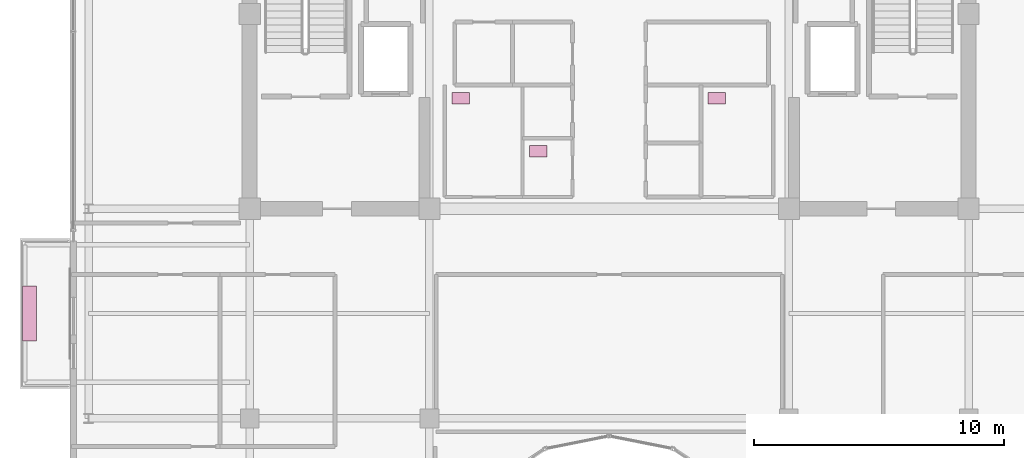
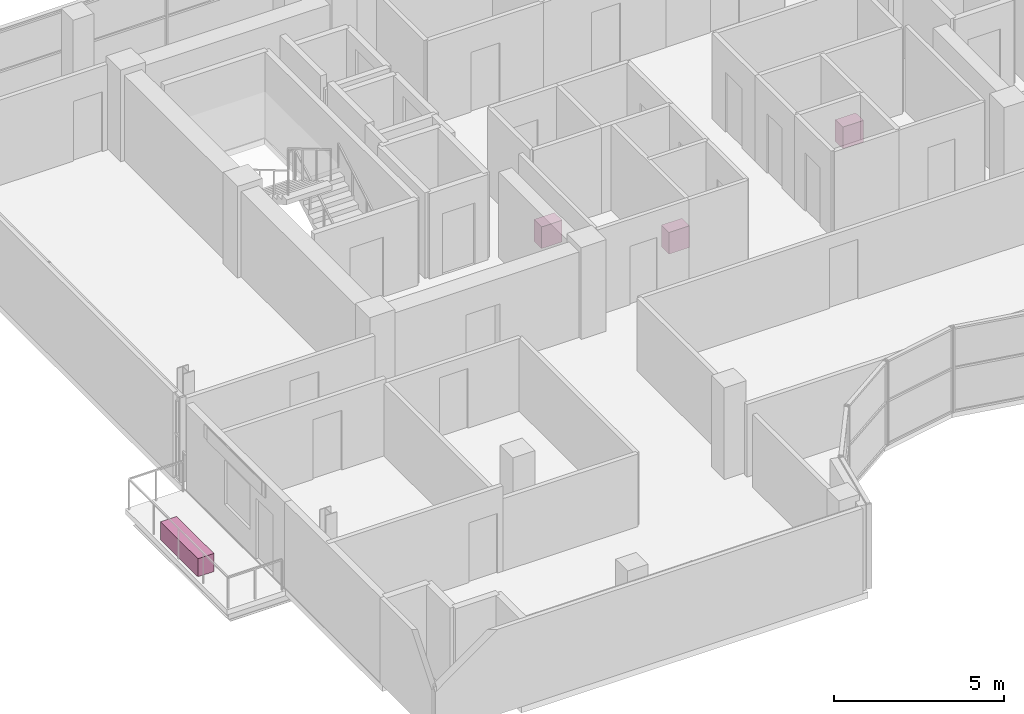
# One storey, part 28 of 28: 4 furnishings.
"""IFC4 building model written with IfcOpenShell, lengths in metres."""

from ifc_helpers import new_model, si_unit, direction, frame, origin, origin_2d, place, context, subcontext, project, spatial, rectangle, extrude, source, transform, mapped, material, type_object, element, save


model = new_model("IFC4")

# Units and contexts
model_context = context("Model", 3, precision=1e-05, world=origin(), true_north=direction((0.0, 1.0)))
body_context = subcontext(model_context, "Body", "Model", "MODEL_VIEW")
ifc_project = project(units=[si_unit("LENGTHUNIT", "METRE"), si_unit("AREAUNIT", "SQUARE_METRE"), si_unit("VOLUMEUNIT", "CUBIC_METRE"), si_unit("PLANEANGLEUNIT", "RADIAN"), si_unit("MASSUNIT", "GRAM", prefix="KILO")], contexts=[model_context])

# Site, building, storey
site_placement = place(None, origin())
site = spatial("IfcSite", under=ifc_project, at=site_placement, CompositionType="ELEMENT")
building_placement = place(site_placement, origin())
building = spatial("IfcBuilding", under=site, at=building_placement, Name="Zarnakvel Exchange Tower", CompositionType="ELEMENT")
storey_placement = place(building_placement, frame((0.0, 0.0, 261.699951171875)))
storey = spatial("IfcBuildingStorey", under=building, at=storey_placement, Name="L74", CompositionType="ELEMENT", Elevation=261.699951171875)

# Furnishings
ifc_material_1 = material(Name="Architectural Bronze Anodised Aluminium", Category="aluminium")
furnishing_element_type_1 = type_object("IfcFurnishingElementType", Name="PLNT-01", material=ifc_material_1)
shared_shape_1 = source(origin(), body_context, "Body", "SweptSolid", [
    extrude(rectangle(XDim=2.199951171875, YDim=0.550048828125, at=origin_2d()), origin(), (0.0, 0.0, 1.0), 0.64990234375),
])
furnishing_placement = place(storey_placement, frame((-23.219970703125, -5.39990234375, -0.034912109375), z_axis=(0.0, 0.0, 1.0), x_axis=(0.0, 1.0, 0.0)))
element("IfcFurnishingElement", 1, at=furnishing_placement, inside=storey, type_object=furnishing_element_type_1, Name="L74 Balcony Greenery Planter BAL-L74-W", ObjectType="PLANTER", context=body_context, shape_type="MappedRepresentation", body=[
    mapped(shared_shape_1, transform((0.0, 0.0, 0.0), x_axis=(1.0, 0.0, 0.0), y_axis=(0.0, 1.0, 0.0), z_axis=(0.0, 0.0, 1.0), scale=1.0)),
])
ifc_material_2 = material(Name="Vitreous China Sanitaryware", Category="ceramic")
furnishing_element_type_2 = type_object("IfcFurnishingElementType", Name="SAN-WC", material=ifc_material_2)
shared_shape_2 = source(origin(), body_context, "Body", "SweptSolid", [
    extrude(rectangle(XDim=0.699951171875, YDim=0.449951171875, at=origin_2d()), origin(), (0.0, 0.0, 1.0), 0.780029296875),
])
for number, where, z_axis, x_axis, name in (
    (2, (-5.949951171875, 3.22998046875, 0.0), (0.0, 0.0, 1.0), (1.0, 0.0, 0.0), "L74 Sanitary Fixture (Male Toilet)"),
    (3, (-2.840087890625, 1.10009765625, 0.0), (0.0, 0.0, 1.0), (1.0, 0.0, 0.0), "L74 Sanitary Fixture (Accessible Toilet)"),
    (4, (4.31005859375, 3.22998046875, 0.0), (0.0, 0.0, 1.0), (1.0, 0.0, 0.0), "L74 Sanitary Fixture (Female Toilet)"),
):
    element("IfcFurnishingElement", number, at=place(storey_placement, frame(where, z_axis=z_axis, x_axis=x_axis)), inside=storey, type_object=furnishing_element_type_2, Name=name, ObjectType="SANITARY_FIXTURE", context=body_context, shape_type="MappedRepresentation", body=[
        mapped(shared_shape_2, transform((0.0, 0.0, 0.0), x_axis=(1.0, 0.0, 0.0), y_axis=(0.0, 1.0, 0.0), z_axis=(0.0, 0.0, 1.0), scale=1.0)),
    ])

save(model, "model.ifc")
